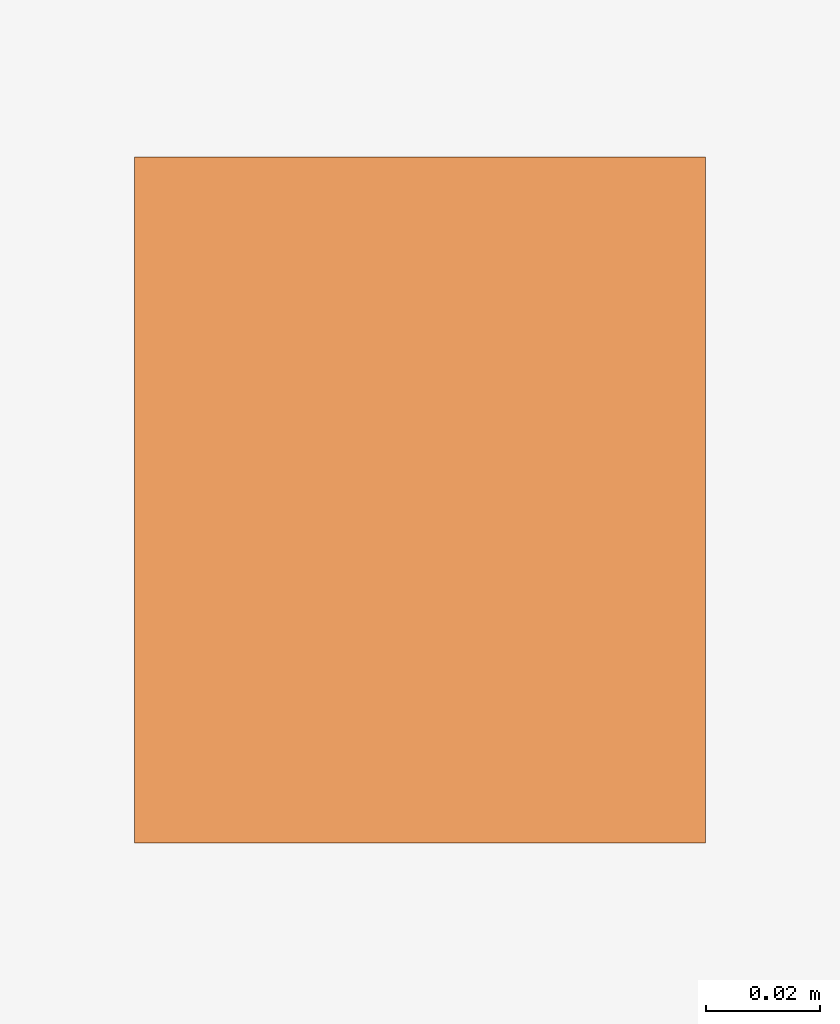
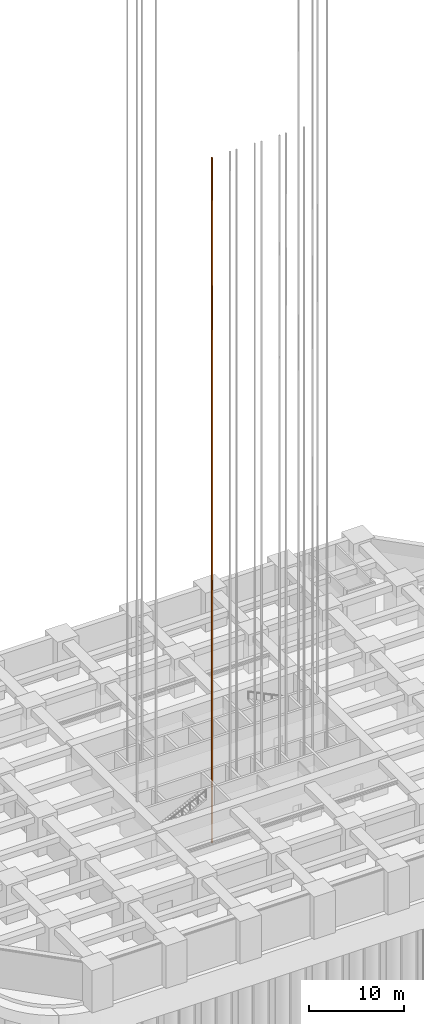
# One storey, part 12 of 24: 1 proxy.
"""IFC4 building model written with IfcOpenShell, lengths in metres."""

from ifc_helpers import new_model, si_unit, direction, frame, origin, origin_2d, place, context, subcontext, project, spatial, rectangle, extrude, element, save


model = new_model("IFC4")

# Units and contexts
model_context = context("Model", 3, precision=1e-05, world=origin(), true_north=direction((0.0, 1.0)))
body_context = subcontext(model_context, "Body", "Model", "MODEL_VIEW")
ifc_project = project(units=[si_unit("LENGTHUNIT", "METRE"), si_unit("AREAUNIT", "SQUARE_METRE"), si_unit("VOLUMEUNIT", "CUBIC_METRE"), si_unit("PLANEANGLEUNIT", "RADIAN"), si_unit("MASSUNIT", "GRAM", prefix="KILO")], contexts=[model_context])

# Site, building, storey
site_placement = place(None, origin())
site = spatial("IfcSite", under=ifc_project, at=site_placement, CompositionType="ELEMENT")
building_placement = place(site_placement, origin())
building = spatial("IfcBuilding", under=site, at=building_placement, Name="Zorevar Civic Tower", CompositionType="ELEMENT")
storey_placement = place(building_placement, frame((0.0, 0.0, -5.0)))
storey = spatial("IfcBuildingStorey", under=building, at=storey_placement, Name="B1", CompositionType="ELEMENT", Elevation=-5.0)

# Proxy
proxy_placement = place(storey_placement, frame((27.39990234375, 23.10009765625, -3.35009765625), z_axis=(0.0, 0.0, 1.0), x_axis=(1.0, 0.0, 0.0)))
element("IfcBuildingElementProxy", 1, at=proxy_placement, inside=storey, Name="Passenger lift LP1 guide rail 1", PredefinedType="NOTDEFINED", context=body_context, shape_type="SweptSolid", body=[
    extrude(rectangle(XDim=0.10009765625, YDim=0.1201171875, at=origin_2d()), origin(), (0.0, 0.0, 1.0), 88.0),
])

save(model, "model.ifc")
